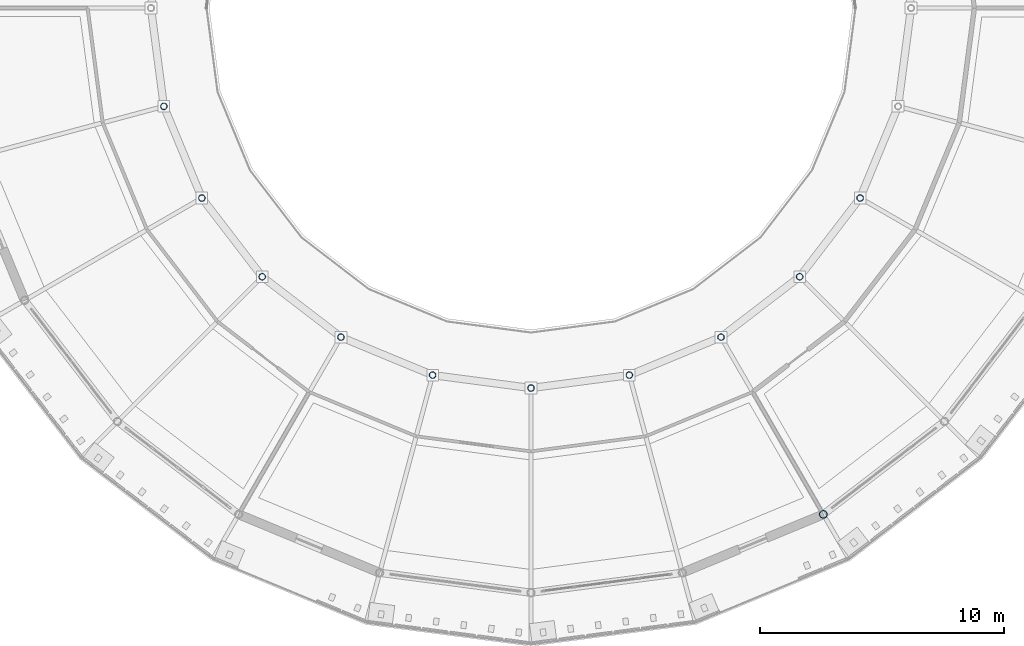
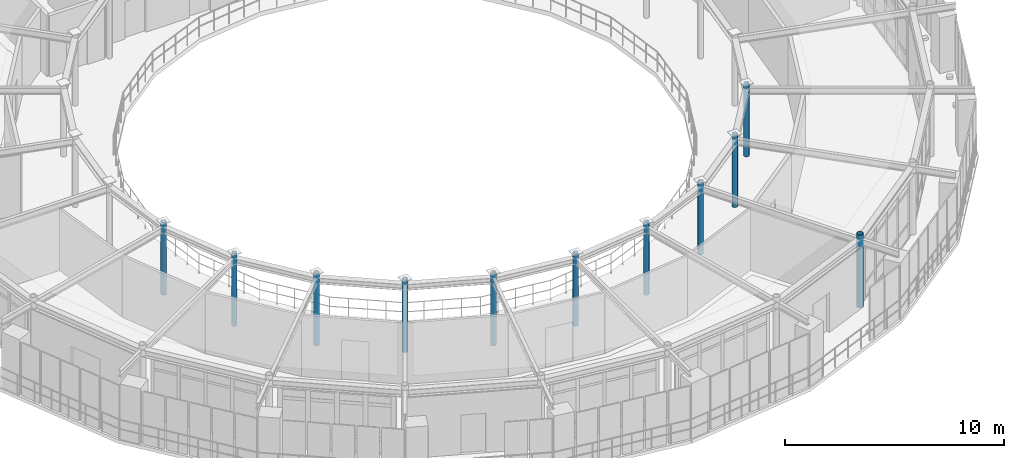
# One storey, part 5 of 70: 11 columns.
"""IFC4 building model written with IfcOpenShell, lengths in metres."""

import ifcopenshell
import ifcopenshell.guid

model = None  # the IFC model being written
_history = None  # IfcOwnerHistory: only IFC2X3 demands one
_inside = {}  # id of a spatial element -> (the spatial element, [elements in it])
_under = {}  # id of a project, library or spatial element -> (it, [spatial elements below it])
_declared = {}  # id of a project -> (the project, [libraries it declares])
_typed = {}  # id of a type object -> (the type object, [elements of that type])
_made_of = {}  # id of a material, layer set ... -> (it, [elements and type objects made of it])


def new_model(schema):
    """Start an empty IFC model of exactly this schema.

    Asked for "IFC4X3", IfcOpenShell would pick the latest addendum, in which some entities
    have other attributes; the version numbers below select the first issue.
    IFC2X3 requires an IfcOwnerHistory on every rooted entity: one is made here for all.
    """
    global model, _history
    if schema == "IFC4X3":
        model = ifcopenshell.file(schema_version=(4, 3, 0, 0))
    else:
        model = ifcopenshell.file(schema=schema)
    _inside.clear()
    _under.clear()
    _declared.clear()
    _typed.clear()
    _made_of.clear()
    _history = None
    if model.schema == "IFC2X3":
        org = make("IfcOrganization", Name="unknown")
        user = make(
            "IfcPersonAndOrganization",
            ThePerson=make("IfcPerson", FamilyName="unknown"),
            TheOrganization=org,
        )
        app = make(
            "IfcApplication",
            ApplicationDeveloper=org,
            Version="unknown",
            ApplicationFullName="unknown",
            ApplicationIdentifier="unknown",
        )
        _history = make(
            "IfcOwnerHistory",
            OwningUser=user,
            OwningApplication=app,
            ChangeAction="ADDED",
            CreationDate=0,
        )
    return model


def make(cls, **values):
    """One entity of the class cls with the attributes given. An attribute that is None is left unset."""
    return model.create_entity(
        cls, **{name: value for name, value in values.items() if value is not None}
    )


def rooted(cls, **values):
    """An entity with a GlobalId (a new one), such as an element, a storey or a relation."""
    return make(cls, GlobalId=ifcopenshell.guid.new(), OwnerHistory=_history, **values)


def si_unit(unit_type, name, prefix=None):
    """IfcSIUnit, for example si_unit("LENGTHUNIT", "METRE", prefix="MILLI")."""
    return make("IfcSIUnit", UnitType=unit_type, Prefix=prefix, Name=name)


def derived_unit(unit_type, elements):
    """IfcDerivedUnit: a product of units, each with its exponent."""
    return make(
        "IfcDerivedUnit",
        Elements=[
            make("IfcDerivedUnitElement", Unit=unit, Exponent=power)
            for unit, power in elements
        ],
        UnitType=unit_type,
    )


def assignment(units):
    """IfcUnitAssignment: the units of a project."""
    return None if units is None else make("IfcUnitAssignment", Units=units)


def point(xyz):
    """IfcCartesianPoint."""
    return None if xyz is None else make("IfcCartesianPoint", Coordinates=xyz)


def direction(xyz):
    """IfcDirection."""
    return None if xyz is None else make("IfcDirection", DirectionRatios=xyz)


def frame(location, z_axis=None, x_axis=None):
    """IfcAxis2Placement3D, a coordinate frame: its origin and axes. An axis left out is left unset."""
    return make(
        "IfcAxis2Placement3D",
        Location=point(location),
        Axis=direction(z_axis),
        RefDirection=direction(x_axis),
    )


def frame_2d(location, x_axis=None):
    """IfcAxis2Placement2D, a coordinate frame in the plane: its origin and x axis."""
    return make(
        "IfcAxis2Placement2D", Location=point(location), RefDirection=direction(x_axis)
    )


def origin():
    """The frame at (0, 0, 0) with its axes left unset."""
    return frame((0.0, 0.0, 0.0))


def origin_2d():
    """The frame at (0, 0) in the plane with its x axis left unset."""
    return frame_2d((0.0, 0.0))


def place(relative_to, where):
    """IfcLocalPlacement: puts the frame where relative to a parent placement (None: the world)."""
    return make(
        "IfcLocalPlacement", PlacementRelTo=relative_to, RelativePlacement=where
    )


def context(
    kind, dimensions, precision=None, world=None, true_north=None, identifier=None
):
    """IfcGeometricRepresentationContext, for example the 3D "Model" context."""
    return make(
        "IfcGeometricRepresentationContext",
        ContextIdentifier=identifier,
        ContextType=kind,
        CoordinateSpaceDimension=dimensions,
        Precision=precision,
        WorldCoordinateSystem=world,
        TrueNorth=true_north,
    )


def subcontext(parent, identifier, kind, view, scale=None):
    """IfcGeometricRepresentationSubContext, for example "Body" below "Model"."""
    return make(
        "IfcGeometricRepresentationSubContext",
        ContextIdentifier=identifier,
        ContextType=kind,
        ParentContext=parent,
        TargetScale=scale,
        TargetView=view,
    )


def project(units=None, contexts=None):
    """IfcProject with its units and contexts."""
    return rooted(
        "IfcProject",
        Name="project",
        RepresentationContexts=contexts,
        UnitsInContext=assignment(units),
    )


def spatial(cls, under=None, at=None, **own):
    """A site, building, storey or space (cls), placed at a placement, below another one or the project."""
    s = rooted(cls, ObjectPlacement=at, **own)
    if under is not None:
        _under.setdefault(under.id(), (under, []))[1].append(s)
    return s


def profile(cls, at=None, kind="AREA", **sizes):
    """A parametric profile (cls). Its sizes go by their IFC names, for example OverallWidth=200.0."""
    return make(cls, ProfileType=kind, Position=at, **sizes)


def hollow_circle(**sizes):
    """IfcCircleHollowProfileDef."""
    return profile("IfcCircleHollowProfileDef", **sizes)


def extrude(swept, where, along, depth):
    """IfcExtrudedAreaSolid: the profile swept, set in the frame where, extruded along a direction by depth."""
    return make(
        "IfcExtrudedAreaSolid",
        SweptArea=swept,
        Position=where,
        ExtrudedDirection=direction(along),
        Depth=depth,
    )


def shape(context_of_items, identifier, shape_type, items):
    """IfcShapeRepresentation: the items that make up one representation, for example the "Body"."""
    return make(
        "IfcShapeRepresentation",
        ContextOfItems=context_of_items,
        RepresentationIdentifier=identifier,
        RepresentationType=shape_type,
        Items=items,
    )


def material(Name=None, Category=None):
    """IfcMaterial."""
    return make("IfcMaterial", Name=Name, Category=Category)


def material_profile(
    of_material, cross_section, Name=None, Category=None, Priority=None
):
    """IfcMaterialProfile: a cross section and its material."""
    return make(
        "IfcMaterialProfile",
        Name=Name,
        Material=of_material,
        Profile=cross_section,
        Priority=Priority,
        Category=Category,
    )


def profile_set(profiles, Name=None, composite=None):
    """IfcMaterialProfileSet."""
    return make(
        "IfcMaterialProfileSet",
        Name=Name,
        MaterialProfiles=profiles,
        CompositeProfile=composite,
    )


def made_of(thing, what):
    """Note that an element or type object is made of a material, layer set ...; save() writes the relation."""
    if what is not None:
        _made_of.setdefault(what.id(), (what, []))[1].append(thing)
    return thing


def type_object(cls, material=None, **own):
    """A type object (cls), such as IfcWallType, which elements share."""
    return made_of(rooted(cls, **own), material)


def element(
    cls,
    number,
    at=None,
    inside=None,
    cuts=None,
    type_object=None,
    material=None,
    context=None,
    identifier="Body",
    shape_type=None,
    held_by="IfcProductDefinitionShape",
    body=None,
    shapes=None,
    **own,
):
    """One element of the class cls, such as IfcWall. Its Tag is "e" and its number.

    at: its placement. inside: the storey or other place that contains it. cuts: it is an
    opening in that element (IfcRelVoidsElement). A single representation is given by context,
    identifier, shape_type and body (its items); several are given by shapes. held_by: the class
    of the entity that holds the representations. save() writes the other relations.
    """
    e = rooted(cls, Tag="e%d" % number, ObjectPlacement=at, **own)
    if body is not None:
        shapes = [shape(context, identifier, shape_type, body)]
    if shapes is not None:
        e.Representation = make(held_by, Representations=shapes)
    if inside is not None:
        _inside.setdefault(inside.id(), (inside, []))[1].append(e)
    if cuts is not None:
        rooted(
            "IfcRelVoidsElement", RelatingBuildingElement=cuts, RelatedOpeningElement=e
        )
    if type_object is not None:
        _typed.setdefault(type_object.id(), (type_object, []))[1].append(e)
    return made_of(e, material)


def aggregate(whole, parts):
    """IfcRelAggregates: a whole, such as a stair, and the parts it consists of."""
    return rooted("IfcRelAggregates", RelatingObject=whole, RelatedObjects=parts)


def save(model, path):
    """Write the relations noted so far, then the file.

    IfcRelAggregates (storeys below a building ...), IfcRelContainedInSpatialStructure (elements
    in a storey), IfcRelDefinesByType, IfcRelAssociatesMaterial and IfcRelDeclares: one each for
    every whole, place, type object, material and project.
    """
    for whole, parts in _under.values():
        aggregate(whole, parts)
    for where, things in _inside.values():
        rooted(
            "IfcRelContainedInSpatialStructure",
            RelatedElements=things,
            RelatingStructure=where,
        )
    for kind, things in _typed.values():
        rooted("IfcRelDefinesByType", RelatedObjects=things, RelatingType=kind)
    for what, things in _made_of.values():
        rooted("IfcRelAssociatesMaterial", RelatedObjects=things, RelatingMaterial=what)
    for by, libraries in _declared.values():
        rooted("IfcRelDeclares", RelatingContext=by, RelatedDefinitions=libraries)
    model.write(path)


model = new_model("IFC4")

# Units and contexts
model_context = context("Model", 3, precision=1e-05, world=origin(), true_north=direction((0.0, 1.0)))
body_context = subcontext(model_context, "Body", "Model", "MODEL_VIEW")
ifc_project = project(units=[si_unit("LENGTHUNIT", "METRE"), si_unit("AREAUNIT", "SQUARE_METRE"), si_unit("VOLUMEUNIT", "CUBIC_METRE"), si_unit("PLANEANGLEUNIT", "RADIAN"), si_unit("MASSUNIT", "GRAM", prefix="KILO"), derived_unit("THERMALTRANSMITTANCEUNIT", [(si_unit("POWERUNIT", "WATT"), 1), (si_unit("AREAUNIT", "SQUARE_METRE"), -1), (si_unit("THERMODYNAMICTEMPERATUREUNIT", "KELVIN"), -1)])], contexts=[model_context])

# Site, building, storey
site_placement = place(None, origin())
site = spatial("IfcSite", under=ifc_project, at=site_placement, CompositionType="ELEMENT")
building_placement = place(site_placement, origin())
building = spatial("IfcBuilding", under=site, at=building_placement, Name="Yasenodar Specialist Clinic", CompositionType="ELEMENT")
storey_placement = place(building_placement, frame((0.0, 0.0, 13.199951171875)))
storey = spatial("IfcBuildingStorey", under=building, at=storey_placement, Name="L03", CompositionType="ELEMENT", Elevation=13.199951171875)

# Columns
ifc_material = material(Name="Steel S355", Category="steel")
ifc_material_profile_1 = material_profile(ifc_material, hollow_circle(Radius=0.136474609375, WallThickness=0.012451171875, at=origin_2d()), Name="CHS 273x12.5")
ifc_profile_set_1 = profile_set([ifc_material_profile_1], Name="Steel S355")
column_type_1 = type_object("IfcColumnType", Name="COL-ST-CHS273", PredefinedType="COLUMN", material=ifc_profile_set_1)
for number, where, z_axis, x_axis, name in (
    (1, (65.931640625, 54.762451171875, 0.0), (0.0, 0.0, 1.0), (1.0, 0.0, 0.0), "L03 Drum V1 Inner Column 14"),
    (2, (67.489990234375, 51.0, 0.0), (0.0, 0.0, 1.0), (1.0, 0.0, 0.0), "L03 Drum V1 Inner Column 15"),
    (3, (69.968994140625, 47.76904296875, 0.0), (0.0, 0.0, 1.0), (1.0, 0.0, 0.0), "L03 Drum V1 Inner Column 16"),
    (4, (73.199951171875, 45.2900390625, 0.0), (0.0, 0.0, 1.0), (1.0, 0.0, 0.0), "L03 Drum V1 Inner Column 17"),
    (5, (76.96240234375, 43.731689453125, 0.0), (0.0, 0.0, 1.0), (1.0, 0.0, 0.0), "L03 Drum V1 Inner Column 18"),
    (6, (81.0, 43.199951171875, 0.0), (0.0, 0.0, 1.0), (1.0, 0.0, 0.0), "L03 Drum V1 Inner Column 19"),
    (7, (85.03759765625, 43.731689453125, 0.0), (0.0, 0.0, 1.0), (1.0, 0.0, 0.0), "L03 Drum V1 Inner Column 20"),
    (8, (88.800048828125, 45.2900390625, 0.0), (0.0, 0.0, 1.0), (1.0, 0.0, 0.0), "L03 Drum V1 Inner Column 21"),
    (9, (92.031005859375, 47.76904296875, 0.0), (0.0, 0.0, 1.0), (1.0, 0.0, 0.0), "L03 Drum V1 Inner Column 22"),
    (10, (94.510009765625, 51.0, 0.0), (0.0, 0.0, 1.0), (1.0, 0.0, 0.0), "L03 Drum V1 Inner Column 23"),
):
    element("IfcColumn", number, at=place(storey_placement, frame(where, z_axis=z_axis, x_axis=x_axis)), inside=storey, type_object=column_type_1, Name=name, PredefinedType="COLUMN", context=body_context, shape_type="SweptSolid", body=[
        extrude(hollow_circle(Radius=0.136474609375, WallThickness=0.012451171875, at=origin_2d()), origin(), (0.0, 0.0, 1.0), 4.050048828125),
    ])
ifc_material_profile_2 = material_profile(ifc_material, hollow_circle(Radius=0.161865234375, WallThickness=0.01611328125, at=origin_2d()), Name="CHS 323.9x16")
ifc_profile_set_2 = profile_set([ifc_material_profile_2], Name="Steel S355")
column_type_2 = type_object("IfcColumnType", Name="COL-ST-CHS324", PredefinedType="COLUMN", material=ifc_profile_set_2)
column_placement = place(storey_placement, frame((93.0, 38.015380859375, 0.0), z_axis=(0.0, 0.0, 1.0), x_axis=(1.0, 0.0, 0.0)))
element("IfcColumn", 11, at=column_placement, inside=storey, type_object=column_type_2, Name="L03 Drum V1 Outer Column 21", PredefinedType="COLUMN", context=body_context, shape_type="SweptSolid", body=[
    extrude(hollow_circle(Radius=0.161865234375, WallThickness=0.01611328125, at=origin_2d()), origin(), (0.0, 0.0, 1.0), 4.050048828125),
])

save(model, "model.ifc")
